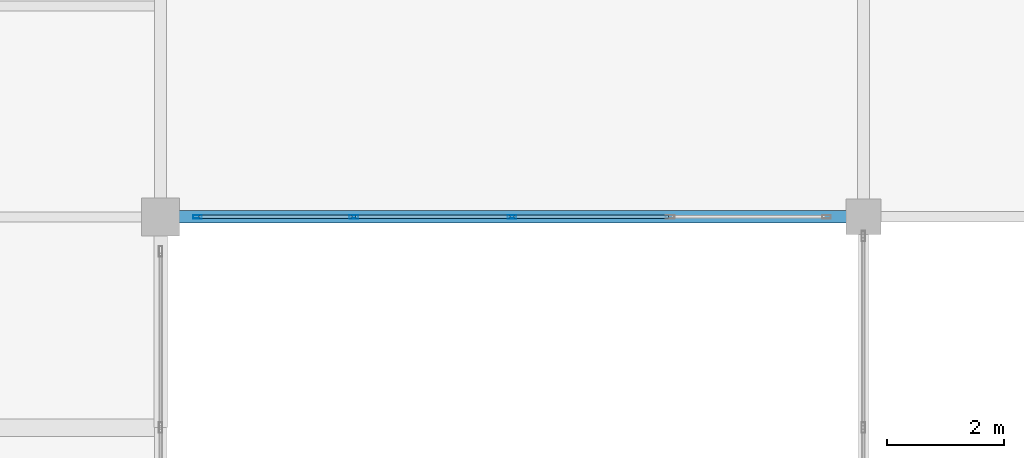
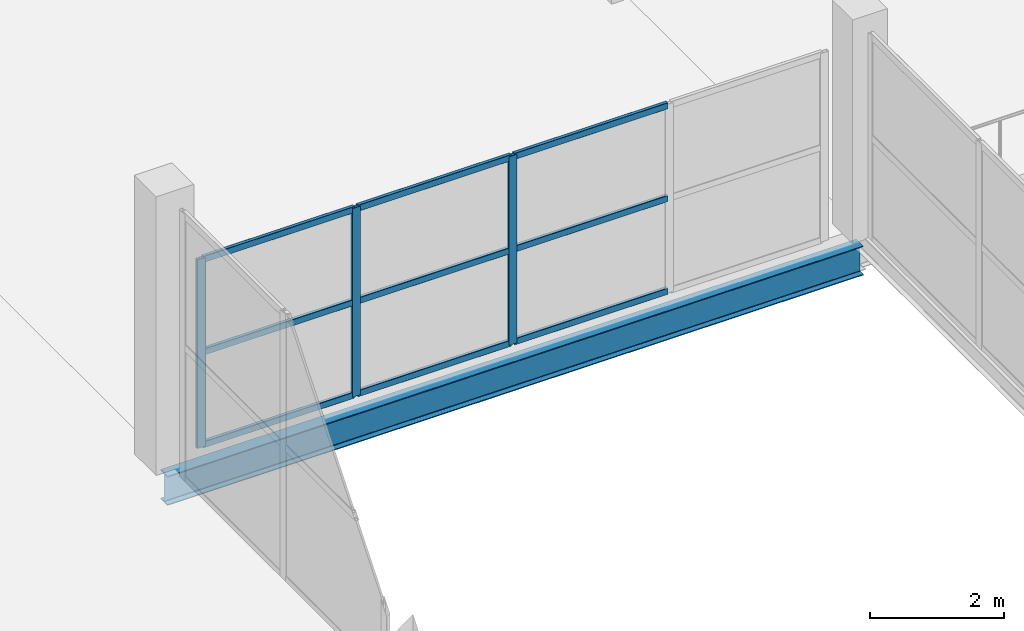
# One storey, part 62 of 127: 12 members, 1 beam, 1 element without a shape of its own.
"""IFC4 building model written with IfcOpenShell, lengths in metres."""

from ifc_helpers import new_model, si_unit, direction, frame, origin, origin_2d, place, context, subcontext, project, spatial, hollow_rectangle, i_section, extrude, material, layer, layer_set, material_profile, profile_set, type_object, element, aggregate, save


model = new_model("IFC4")

# Units and contexts
model_context = context("Model", 3, precision=1e-05, world=origin(), true_north=direction((0.0, 1.0)))
body_context = subcontext(model_context, "Body", "Model", "MODEL_VIEW")
ifc_project = project(units=[si_unit("LENGTHUNIT", "METRE"), si_unit("AREAUNIT", "SQUARE_METRE"), si_unit("VOLUMEUNIT", "CUBIC_METRE"), si_unit("PLANEANGLEUNIT", "RADIAN"), si_unit("MASSUNIT", "GRAM", prefix="KILO")], contexts=[model_context])

# Site, building, storey
site_placement = place(None, origin())
site = spatial("IfcSite", under=ifc_project, at=site_placement, CompositionType="ELEMENT")
building_placement = place(site_placement, origin())
building = spatial("IfcBuilding", under=site, at=building_placement, Name="Dunvalen Ferry Terminal", CompositionType="ELEMENT")
storey_placement = place(building_placement, frame((0.0, 0.0, 5.760009765625)))
storey = spatial("IfcBuildingStorey", under=building, at=storey_placement, Name="L01", CompositionType="ELEMENT", Elevation=5.760009765625)

# Curtain wall, members
ifc_material_1 = material(Name="Anodised marine aluminium and solar-control glazing", Category="aluminium")
ifc_layer = layer(ifc_material_1, 0.159912109375, Name="Anodised marine aluminium and solar-control glazing")
ifc_layer_set = layer_set([ifc_layer], Name="Anodised marine aluminium and solar-control glazing")
curtain_wall_type = type_object("IfcCurtainWallType", Name="ENV-CW-SYS-09", PredefinedType="NOTDEFINED", material=ifc_layer_set)
curtain_wall_placement = place(storey_placement, origin())
curtain_wall = element("IfcCurtainWall", 1, at=curtain_wall_placement, inside=storey, type_object=curtain_wall_type, Name="L01 Curtain Wall CW-LNK12-1", PredefinedType="NOTDEFINED")
ifc_material_2 = material(Name="Anodised marine aluminium EN AW-6063 T6", Category="aluminium")
ifc_material_profile_1 = material_profile(ifc_material_2, hollow_rectangle(XDim=0.06005859375, YDim=0.14990234375, WallThickness=0.00341796875, InnerFilletRadius=0.00341796875, OuterFilletRadius=0.007080078125, at=origin_2d()), Name="Anodised marine aluminium EN AW-6063 T6")
ifc_profile_set_1 = profile_set([ifc_material_profile_1], Name="Anodised marine aluminium EN AW-6063 T6")
member_type_1 = type_object("IfcMemberType", Name="ENV-CW-MUL-3", PredefinedType="MULLION", material=ifc_profile_set_1)
member_1_placement = place(storey_placement, frame((96.6298828125, 72.0, 0.0), z_axis=(0.0, 0.0, 1.0), x_axis=(0.0, 1.0, 0.0)))
member_1 = element("IfcMember", 2, at=member_1_placement, type_object=member_type_1, Name="CW-09 mullion 1", PredefinedType="MULLION", context=body_context, shape_type="SweptSolid", body=[
    extrude(hollow_rectangle(XDim=0.06005859375, YDim=0.14990234375, WallThickness=0.00341796875, InnerFilletRadius=0.00341796875, OuterFilletRadius=0.007080078125, at=origin_2d()), origin(), (0.0, 0.0, 1.0), 3.43994140625),
])
member_2_placement = place(storey_placement, frame((99.300048828125, 72.0, 0.0), z_axis=(0.0, 0.0, 1.0), x_axis=(0.0, 1.0, 0.0)))
member_2 = element("IfcMember", 3, at=member_2_placement, type_object=member_type_1, Name="CW-09 mullion 2", PredefinedType="MULLION", context=body_context, shape_type="SweptSolid", body=[
    extrude(hollow_rectangle(XDim=0.06005859375, YDim=0.14990234375, WallThickness=0.00341796875, InnerFilletRadius=0.00341796875, OuterFilletRadius=0.007080078125, at=origin_2d()), origin(), (0.0, 0.0, 1.0), 3.43994140625),
])
member_3_placement = place(storey_placement, frame((102.0, 72.0, 0.0), z_axis=(0.0, 0.0, 1.0), x_axis=(0.0, 1.0, 0.0)))
member_3 = element("IfcMember", 4, at=member_3_placement, type_object=member_type_1, Name="CW-09 mullion 3", PredefinedType="MULLION", context=body_context, shape_type="SweptSolid", body=[
    extrude(hollow_rectangle(XDim=0.06005859375, YDim=0.14990234375, WallThickness=0.00341796875, InnerFilletRadius=0.00341796875, OuterFilletRadius=0.007080078125, at=origin_2d()), origin(), (0.0, 0.0, 1.0), 3.43994140625),
])
ifc_material_profile_2 = material_profile(ifc_material_2, hollow_rectangle(XDim=0.06005859375, YDim=0.114990234375, WallThickness=0.0029296875, InnerFilletRadius=0.0029296875, OuterFilletRadius=0.006103515625, at=origin_2d()), Name="Anodised marine aluminium EN AW-6063 T6")
ifc_profile_set_2 = profile_set([ifc_material_profile_2], Name="Anodised marine aluminium EN AW-6063 T6")
member_type_2 = type_object("IfcMemberType", Name="ENV-CW-TRN-3", PredefinedType="USERDEFINED", material=ifc_profile_set_2)
member_4_placement = place(storey_placement, frame((96.659912109375, 72.0, 0.030029296875), z_axis=(1.0, 0.0, 0.0), x_axis=(0.0, 1.0, 0.0)))
member_4 = element("IfcMember", 5, at=member_4_placement, type_object=member_type_2, Name="CW-09 transom 1.1", ObjectType="TRANSOM", PredefinedType="USERDEFINED", context=body_context, shape_type="SweptSolid", body=[
    extrude(hollow_rectangle(XDim=0.06005859375, YDim=0.114990234375, WallThickness=0.0029296875, InnerFilletRadius=0.0029296875, OuterFilletRadius=0.006103515625, at=origin_2d()), origin(), (0.0, 0.0, 1.0), 2.610107421875),
])
member_5_placement = place(storey_placement, frame((96.659912109375, 72.0, 1.719970703125), z_axis=(1.0, 0.0, 0.0), x_axis=(0.0, 1.0, 0.0)))
member_5 = element("IfcMember", 6, at=member_5_placement, type_object=member_type_2, Name="CW-09 transom 1.2", ObjectType="TRANSOM", PredefinedType="USERDEFINED", context=body_context, shape_type="SweptSolid", body=[
    extrude(hollow_rectangle(XDim=0.06005859375, YDim=0.114990234375, WallThickness=0.0029296875, InnerFilletRadius=0.0029296875, OuterFilletRadius=0.006103515625, at=origin_2d()), origin(), (0.0, 0.0, 1.0), 2.610107421875),
])
member_6_placement = place(storey_placement, frame((96.659912109375, 72.0, 3.409912109375), z_axis=(1.0, 0.0, 0.0), x_axis=(0.0, 1.0, 0.0)))
member_6 = element("IfcMember", 7, at=member_6_placement, type_object=member_type_2, Name="CW-09 transom 1.3", ObjectType="TRANSOM", PredefinedType="USERDEFINED", context=body_context, shape_type="SweptSolid", body=[
    extrude(hollow_rectangle(XDim=0.06005859375, YDim=0.114990234375, WallThickness=0.0029296875, InnerFilletRadius=0.0029296875, OuterFilletRadius=0.006103515625, at=origin_2d()), origin(), (0.0, 0.0, 1.0), 2.610107421875),
])
member_7_placement = place(storey_placement, frame((99.330078125, 72.0, 0.030029296875), z_axis=(1.0, 0.0, 0.0), x_axis=(0.0, 1.0, 0.0)))
member_7 = element("IfcMember", 8, at=member_7_placement, type_object=member_type_2, Name="CW-09 transom 2.1", ObjectType="TRANSOM", PredefinedType="USERDEFINED", context=body_context, shape_type="SweptSolid", body=[
    extrude(hollow_rectangle(XDim=0.06005859375, YDim=0.114990234375, WallThickness=0.0029296875, InnerFilletRadius=0.0029296875, OuterFilletRadius=0.006103515625, at=origin_2d()), origin(), (0.0, 0.0, 1.0), 2.639892578125),
])
member_8_placement = place(storey_placement, frame((99.330078125, 72.0, 1.719970703125), z_axis=(1.0, 0.0, 0.0), x_axis=(0.0, 1.0, 0.0)))
member_8 = element("IfcMember", 9, at=member_8_placement, type_object=member_type_2, Name="CW-09 transom 2.2", ObjectType="TRANSOM", PredefinedType="USERDEFINED", context=body_context, shape_type="SweptSolid", body=[
    extrude(hollow_rectangle(XDim=0.06005859375, YDim=0.114990234375, WallThickness=0.0029296875, InnerFilletRadius=0.0029296875, OuterFilletRadius=0.006103515625, at=origin_2d()), origin(), (0.0, 0.0, 1.0), 2.639892578125),
])
member_9_placement = place(storey_placement, frame((99.330078125, 72.0, 3.409912109375), z_axis=(1.0, 0.0, 0.0), x_axis=(0.0, 1.0, 0.0)))
member_9 = element("IfcMember", 10, at=member_9_placement, type_object=member_type_2, Name="CW-09 transom 2.3", ObjectType="TRANSOM", PredefinedType="USERDEFINED", context=body_context, shape_type="SweptSolid", body=[
    extrude(hollow_rectangle(XDim=0.06005859375, YDim=0.114990234375, WallThickness=0.0029296875, InnerFilletRadius=0.0029296875, OuterFilletRadius=0.006103515625, at=origin_2d()), origin(), (0.0, 0.0, 1.0), 2.639892578125),
])
member_10_placement = place(storey_placement, frame((102.030029296875, 72.0, 0.030029296875), z_axis=(1.0, 0.0, 0.0), x_axis=(0.0, 1.0, 0.0)))
member_10 = element("IfcMember", 11, at=member_10_placement, type_object=member_type_2, Name="CW-09 transom 3.1", ObjectType="TRANSOM", PredefinedType="USERDEFINED", context=body_context, shape_type="SweptSolid", body=[
    extrude(hollow_rectangle(XDim=0.06005859375, YDim=0.114990234375, WallThickness=0.0029296875, InnerFilletRadius=0.0029296875, OuterFilletRadius=0.006103515625, at=origin_2d()), origin(), (0.0, 0.0, 1.0), 2.639892578125),
])
member_11_placement = place(storey_placement, frame((102.030029296875, 72.0, 1.719970703125), z_axis=(1.0, 0.0, 0.0), x_axis=(0.0, 1.0, 0.0)))
member_11 = element("IfcMember", 12, at=member_11_placement, type_object=member_type_2, Name="CW-09 transom 3.2", ObjectType="TRANSOM", PredefinedType="USERDEFINED", context=body_context, shape_type="SweptSolid", body=[
    extrude(hollow_rectangle(XDim=0.06005859375, YDim=0.114990234375, WallThickness=0.0029296875, InnerFilletRadius=0.0029296875, OuterFilletRadius=0.006103515625, at=origin_2d()), origin(), (0.0, 0.0, 1.0), 2.639892578125),
])
member_12_placement = place(storey_placement, frame((102.030029296875, 72.0, 3.409912109375), z_axis=(1.0, 0.0, 0.0), x_axis=(0.0, 1.0, 0.0)))
member_12 = element("IfcMember", 13, at=member_12_placement, type_object=member_type_2, Name="CW-09 transom 3.3", ObjectType="TRANSOM", PredefinedType="USERDEFINED", context=body_context, shape_type="SweptSolid", body=[
    extrude(hollow_rectangle(XDim=0.06005859375, YDim=0.114990234375, WallThickness=0.0029296875, InnerFilletRadius=0.0029296875, OuterFilletRadius=0.006103515625, at=origin_2d()), origin(), (0.0, 0.0, 1.0), 2.639892578125),
])
aggregate(curtain_wall, [member_1, member_2, member_3, member_4, member_5, member_6, member_7, member_8, member_9, member_10, member_11, member_12])

# Beam
ifc_material_3 = material(Name="Steel S355", Category="steel")
ifc_material_profile_3 = material_profile(ifc_material_3, i_section(OverallWidth=0.209228515625, OverallDepth=0.533203125, WebThickness=0.010009765625, FlangeThickness=0.015625, FilletRadius=0.0126953125, at=origin_2d()), Name="Steel S355")
ifc_profile_set_3 = profile_set([ifc_material_profile_3], Name="Steel S355")
beam_type = type_object("IfcBeamType", Name="STR-BM-UKB533", PredefinedType="BEAM", material=ifc_profile_set_3)
beam_placement = place(storey_placement, frame((96.0, 72.0, -0.530029296875), z_axis=(1.0, 0.0, 0.0), x_axis=(0.0, 1.0, 0.0)))
element("IfcBeam", 14, at=beam_placement, inside=storey, type_object=beam_type, Name="L01 Concourse Link Bridge Girder 1", PredefinedType="BEAM", context=body_context, shape_type="SweptSolid", body=[
    extrude(i_section(OverallWidth=0.209228515625, OverallDepth=0.533203125, WebThickness=0.010009765625, FlangeThickness=0.015625, FilletRadius=0.0126953125, at=origin_2d()), origin(), (0.0, 0.0, 1.0), 12.0),
])

save(model, "model.ifc")
